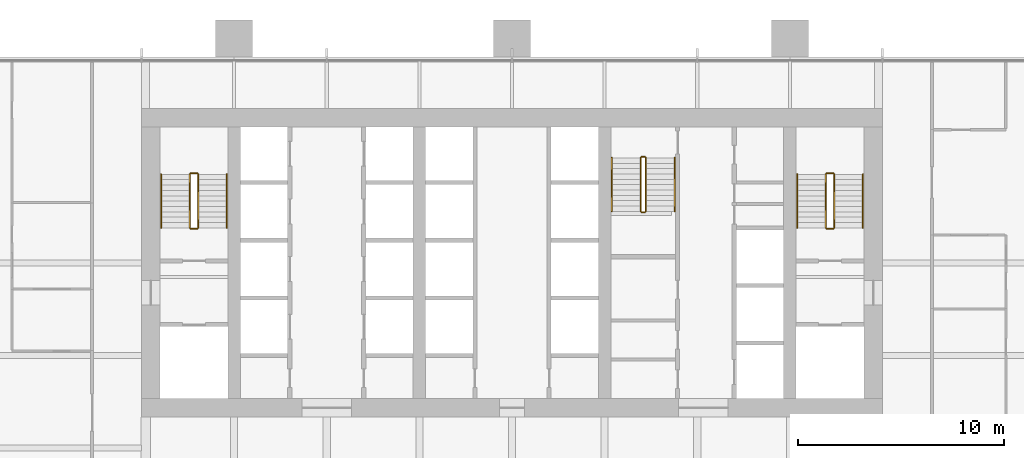
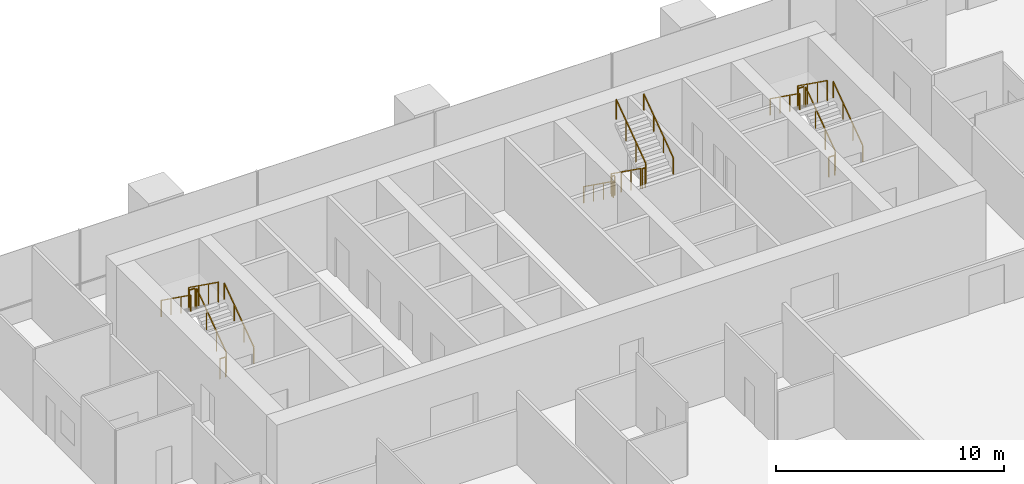
# One storey, part 17 of 17: 18 railings.
"""IFC4 building model written with IfcOpenShell, lengths in metres."""

from ifc_helpers import new_model, si_unit, direction, frame, origin, origin_2d, place, context, subcontext, project, spatial, rectangle, extrude, material, type_object, element, save


model = new_model("IFC4")

# Units and contexts
model_context = context("Model", 3, precision=1e-05, world=origin(), true_north=direction((0.0, 1.0)))
body_context = subcontext(model_context, "Body", "Model", "MODEL_VIEW")
ifc_project = project(units=[si_unit("LENGTHUNIT", "METRE"), si_unit("AREAUNIT", "SQUARE_METRE"), si_unit("VOLUMEUNIT", "CUBIC_METRE"), si_unit("PLANEANGLEUNIT", "RADIAN"), si_unit("MASSUNIT", "GRAM", prefix="KILO")], contexts=[model_context])

# Site, building, storey
site_placement = place(None, origin())
site = spatial("IfcSite", under=ifc_project, at=site_placement, CompositionType="ELEMENT")
building_placement = place(site_placement, origin())
building = spatial("IfcBuilding", under=site, at=building_placement, Name="Rattan Terrace Tower", CompositionType="ELEMENT")
storey_placement = place(building_placement, frame((0.0, 0.0, 48.800048828125)))
storey = spatial("IfcBuildingStorey", under=building, at=storey_placement, Name="L10", CompositionType="ELEMENT", Elevation=48.800048828125)

# Railings
ifc_material_1 = material(Name="Powder-coated steel guard", Category="steel")
railing_type_1 = type_object("IfcRailingType", Name="Core stair guard", PredefinedType="GUARDRAIL", material=ifc_material_1)
railing_1_placement = place(storey_placement, frame((-15.25, 1.699951171875, 0.186279296875)))
element("IfcRailing", 1, at=railing_1_placement, inside=storey, type_object=railing_type_1, Name="L10 S1 stair guard 1", PredefinedType="GUARDRAIL", context=body_context, shape_type="SweptSolid", body=[
    extrude(rectangle(XDim=0.048095703125, YDim=0.048095703125, at=origin_2d()), frame((0.0, 0.0, 1.076171875), z_axis=(0.0, 0.812762922914, 0.582594568406), x_axis=(-1.0, 0.0, 0.0)), (0.0, 0.0, 1.0), 3.198974609375),
    extrude(rectangle(XDim=0.0419921875, YDim=0.0419921875, at=origin_2d()), origin(), (0.0, 0.0, 1.0), 1.052001953125),
    extrude(rectangle(XDim=0.0419921875, YDim=0.0419921875, at=origin_2d()), frame((0.0, 0.86669921875, 0.621337890625)), (0.0, 0.0, 1.0), 1.052001953125),
    extrude(rectangle(XDim=0.0419921875, YDim=0.0419921875, at=origin_2d()), frame((0.0, 1.7333984375, 1.242431640625)), (0.0, 0.0, 1.0), 1.052001953125),
    extrude(rectangle(XDim=0.0419921875, YDim=0.0419921875, at=origin_2d()), frame((0.0, 2.60009765625, 1.86376953125)), (0.0, 0.0, 1.0), 1.052001953125),
])
railing_2_placement = place(storey_placement, frame((-15.300048828125, 4.35009765625, 2.050048828125)))
element("IfcRailing", 2, at=railing_2_placement, inside=storey, type_object=railing_type_1, Name="L10 S1 stair guard 2", PredefinedType="GUARDRAIL", context=body_context, shape_type="SweptSolid", body=[
    extrude(rectangle(XDim=0.048095703125, YDim=0.048095703125, at=origin_2d()), frame((0.0, 0.0, 1.076171875), z_axis=(-1.0, 0.0, 0.0), x_axis=(0.0, -1.0, 0.0)), (0.0, 0.0, 1.0), 0.300048828125),
    extrude(rectangle(XDim=0.0419921875, YDim=0.0419921875, at=origin_2d()), origin(), (0.0, 0.0, 1.0), 1.052001953125),
    extrude(rectangle(XDim=0.0419921875, YDim=0.0419921875, at=origin_2d()), frame((-0.300048828125, 0.0, 0.0)), (0.0, 0.0, 1.0), 1.052001953125),
])
railing_3_placement = place(storey_placement, frame((-15.64990234375, 4.300048828125, 2.236328125)))
element("IfcRailing", 3, at=railing_3_placement, inside=storey, type_object=railing_type_1, Name="L10 S1 stair guard 3", PredefinedType="GUARDRAIL", context=body_context, shape_type="SweptSolid", body=[
    extrude(rectangle(XDim=0.048095703125, YDim=0.048095703125, at=origin_2d()), frame((0.0, 0.0, 1.076171875), z_axis=(0.0, -0.812799059333, 0.582544152102), x_axis=(1.0, 0.0, 0.0)), (0.0, 0.0, 1.0), 3.198974609375),
    extrude(rectangle(XDim=0.0419921875, YDim=0.0419921875, at=origin_2d()), origin(), (0.0, 0.0, 1.0), 1.052001953125),
    extrude(rectangle(XDim=0.0419921875, YDim=0.0419921875, at=origin_2d()), frame((0.0, -0.86669921875, 0.62109375)), (0.0, 0.0, 1.0), 1.052001953125),
    extrude(rectangle(XDim=0.0419921875, YDim=0.0419921875, at=origin_2d()), frame((0.0, -1.7333984375, 1.242431640625)), (0.0, 0.0, 1.0), 1.052001953125),
    extrude(rectangle(XDim=0.0419921875, YDim=0.0419921875, at=origin_2d()), frame((0.0, -2.60009765625, 1.863525390625)), (0.0, 0.0, 1.0), 1.052001953125),
])
railing_4_placement = place(storey_placement, frame((-15.300048828125, 1.64990234375, 0.0)))
element("IfcRailing", 4, at=railing_4_placement, inside=storey, type_object=railing_type_1, Name="L10 S1 stair guard 4", PredefinedType="GUARDRAIL", context=body_context, shape_type="SweptSolid", body=[
    extrude(rectangle(XDim=0.048095703125, YDim=0.048095703125, at=origin_2d()), frame((0.0, 0.0, 1.076171875), z_axis=(-1.0, 0.0, 0.0), x_axis=(0.0, -1.0, 0.0)), (0.0, 0.0, 1.0), 0.300048828125),
    extrude(rectangle(XDim=0.0419921875, YDim=0.0419921875, at=origin_2d()), origin(), (0.0, 0.0, 1.0), 1.052001953125),
    extrude(rectangle(XDim=0.0419921875, YDim=0.0419921875, at=origin_2d()), frame((-0.300048828125, 0.0, 0.0)), (0.0, 0.0, 1.0), 1.052001953125),
])
railing_5_placement = place(storey_placement, frame((15.64990234375, 1.699951171875, 0.186279296875)))
element("IfcRailing", 5, at=railing_5_placement, inside=storey, type_object=railing_type_1, Name="L10 S2 stair guard 1", PredefinedType="GUARDRAIL", context=body_context, shape_type="SweptSolid", body=[
    extrude(rectangle(XDim=0.048095703125, YDim=0.048095703125, at=origin_2d()), frame((0.0, 0.0, 1.076171875), z_axis=(0.0, 0.812762922914, 0.582594568406), x_axis=(-1.0, 0.0, 0.0)), (0.0, 0.0, 1.0), 3.198974609375),
    extrude(rectangle(XDim=0.0419921875, YDim=0.0419921875, at=origin_2d()), origin(), (0.0, 0.0, 1.0), 1.052001953125),
    extrude(rectangle(XDim=0.0419921875, YDim=0.0419921875, at=origin_2d()), frame((0.0, 0.86669921875, 0.621337890625)), (0.0, 0.0, 1.0), 1.052001953125),
    extrude(rectangle(XDim=0.0419921875, YDim=0.0419921875, at=origin_2d()), frame((0.0, 1.7333984375, 1.242431640625)), (0.0, 0.0, 1.0), 1.052001953125),
    extrude(rectangle(XDim=0.0419921875, YDim=0.0419921875, at=origin_2d()), frame((0.0, 2.60009765625, 1.86376953125)), (0.0, 0.0, 1.0), 1.052001953125),
])
railing_6_placement = place(storey_placement, frame((15.60009765625, 4.35009765625, 2.050048828125)))
element("IfcRailing", 6, at=railing_6_placement, inside=storey, type_object=railing_type_1, Name="L10 S2 stair guard 2", PredefinedType="GUARDRAIL", context=body_context, shape_type="SweptSolid", body=[
    extrude(rectangle(XDim=0.048095703125, YDim=0.048095703125, at=origin_2d()), frame((0.0, 0.0, 1.076171875), z_axis=(-1.0, 0.0, 0.0), x_axis=(0.0, -1.0, 0.0)), (0.0, 0.0, 1.0), 0.300048828125),
    extrude(rectangle(XDim=0.0419921875, YDim=0.0419921875, at=origin_2d()), origin(), (0.0, 0.0, 1.0), 1.052001953125),
    extrude(rectangle(XDim=0.0419921875, YDim=0.0419921875, at=origin_2d()), frame((-0.300048828125, 0.0, 0.0)), (0.0, 0.0, 1.0), 1.052001953125),
])
railing_7_placement = place(storey_placement, frame((15.25, 4.300048828125, 2.236328125)))
element("IfcRailing", 7, at=railing_7_placement, inside=storey, type_object=railing_type_1, Name="L10 S2 stair guard 3", PredefinedType="GUARDRAIL", context=body_context, shape_type="SweptSolid", body=[
    extrude(rectangle(XDim=0.048095703125, YDim=0.048095703125, at=origin_2d()), frame((0.0, 0.0, 1.076171875), z_axis=(0.0, -0.812799059333, 0.582544152102), x_axis=(1.0, 0.0, 0.0)), (0.0, 0.0, 1.0), 3.198974609375),
    extrude(rectangle(XDim=0.0419921875, YDim=0.0419921875, at=origin_2d()), origin(), (0.0, 0.0, 1.0), 1.052001953125),
    extrude(rectangle(XDim=0.0419921875, YDim=0.0419921875, at=origin_2d()), frame((0.0, -0.86669921875, 0.62109375)), (0.0, 0.0, 1.0), 1.052001953125),
    extrude(rectangle(XDim=0.0419921875, YDim=0.0419921875, at=origin_2d()), frame((0.0, -1.7333984375, 1.242431640625)), (0.0, 0.0, 1.0), 1.052001953125),
    extrude(rectangle(XDim=0.0419921875, YDim=0.0419921875, at=origin_2d()), frame((0.0, -2.60009765625, 1.863525390625)), (0.0, 0.0, 1.0), 1.052001953125),
])
railing_8_placement = place(storey_placement, frame((15.60009765625, 1.64990234375, 0.0)))
element("IfcRailing", 8, at=railing_8_placement, inside=storey, type_object=railing_type_1, Name="L10 S2 stair guard 4", PredefinedType="GUARDRAIL", context=body_context, shape_type="SweptSolid", body=[
    extrude(rectangle(XDim=0.048095703125, YDim=0.048095703125, at=origin_2d()), frame((0.0, 0.0, 1.076171875), z_axis=(-1.0, 0.0, 0.0), x_axis=(0.0, -1.0, 0.0)), (0.0, 0.0, 1.0), 0.300048828125),
    extrude(rectangle(XDim=0.0419921875, YDim=0.0419921875, at=origin_2d()), origin(), (0.0, 0.0, 1.0), 1.052001953125),
    extrude(rectangle(XDim=0.0419921875, YDim=0.0419921875, at=origin_2d()), frame((-0.300048828125, 0.0, 0.0)), (0.0, 0.0, 1.0), 1.052001953125),
])
railing_9_placement = place(storey_placement, frame((6.25, 5.10009765625, 0.186279296875)))
element("IfcRailing", 9, at=railing_9_placement, inside=storey, type_object=railing_type_1, Name="L10 S3 stair guard 1", PredefinedType="GUARDRAIL", context=body_context, shape_type="SweptSolid", body=[
    extrude(rectangle(XDim=0.048095703125, YDim=0.048095703125, at=origin_2d()), frame((0.0, 0.0, 1.076171875), z_axis=(0.0, -0.812762922914, 0.582594568406), x_axis=(1.0, 0.0, 0.0)), (0.0, 0.0, 1.0), 3.198974609375),
    extrude(rectangle(XDim=0.0419921875, YDim=0.0419921875, at=origin_2d()), origin(), (0.0, 0.0, 1.0), 1.052001953125),
    extrude(rectangle(XDim=0.0419921875, YDim=0.0419921875, at=origin_2d()), frame((0.0, -0.86669921875, 0.621337890625)), (0.0, 0.0, 1.0), 1.052001953125),
    extrude(rectangle(XDim=0.0419921875, YDim=0.0419921875, at=origin_2d()), frame((0.0, -1.7333984375, 1.242431640625)), (0.0, 0.0, 1.0), 1.052001953125),
    extrude(rectangle(XDim=0.0419921875, YDim=0.0419921875, at=origin_2d()), frame((0.0, -2.60009765625, 1.86376953125)), (0.0, 0.0, 1.0), 1.052001953125),
])
railing_10_placement = place(storey_placement, frame((6.300048828125, 2.449951171875, 2.050048828125)))
element("IfcRailing", 10, at=railing_10_placement, inside=storey, type_object=railing_type_1, Name="L10 S3 stair guard 2", PredefinedType="GUARDRAIL", context=body_context, shape_type="SweptSolid", body=[
    extrude(rectangle(XDim=0.048095703125, YDim=0.048095703125, at=origin_2d()), frame((0.0, 0.0, 1.076171875), z_axis=(1.0, 0.0, 0.0), x_axis=(0.0, 1.0, 0.0)), (0.0, 0.0, 1.0), 0.14990234375),
    extrude(rectangle(XDim=0.0419921875, YDim=0.0419921875, at=origin_2d()), origin(), (0.0, 0.0, 1.0), 1.052001953125),
    extrude(rectangle(XDim=0.0419921875, YDim=0.0419921875, at=origin_2d()), frame((0.14990234375, 0.0, 0.0)), (0.0, 0.0, 1.0), 1.052001953125),
])
railing_11_placement = place(storey_placement, frame((6.5, 2.5, 2.236328125)))
element("IfcRailing", 11, at=railing_11_placement, inside=storey, type_object=railing_type_1, Name="L10 S3 stair guard 3", PredefinedType="GUARDRAIL", context=body_context, shape_type="SweptSolid", body=[
    extrude(rectangle(XDim=0.048095703125, YDim=0.048095703125, at=origin_2d()), frame((0.0, 0.0, 1.076171875), z_axis=(0.0, 0.812799059333, 0.582544152102), x_axis=(-1.0, 0.0, 0.0)), (0.0, 0.0, 1.0), 3.198974609375),
    extrude(rectangle(XDim=0.0419921875, YDim=0.0419921875, at=origin_2d()), origin(), (0.0, 0.0, 1.0), 1.052001953125),
    extrude(rectangle(XDim=0.0419921875, YDim=0.0419921875, at=origin_2d()), frame((0.0, 0.86669921875, 0.62109375)), (0.0, 0.0, 1.0), 1.052001953125),
    extrude(rectangle(XDim=0.0419921875, YDim=0.0419921875, at=origin_2d()), frame((0.0, 1.7333984375, 1.242431640625)), (0.0, 0.0, 1.0), 1.052001953125),
    extrude(rectangle(XDim=0.0419921875, YDim=0.0419921875, at=origin_2d()), frame((0.0, 2.60009765625, 1.863525390625)), (0.0, 0.0, 1.0), 1.052001953125),
])
railing_12_placement = place(storey_placement, frame((6.300048828125, 5.14990234375, 0.0)))
element("IfcRailing", 12, at=railing_12_placement, inside=storey, type_object=railing_type_1, Name="L10 S3 stair guard 4", PredefinedType="GUARDRAIL", context=body_context, shape_type="SweptSolid", body=[
    extrude(rectangle(XDim=0.048095703125, YDim=0.048095703125, at=origin_2d()), frame((0.0, 0.0, 1.076171875), z_axis=(1.0, 0.0, 0.0), x_axis=(0.0, 1.0, 0.0)), (0.0, 0.0, 1.0), 0.14990234375),
    extrude(rectangle(XDim=0.0419921875, YDim=0.0419921875, at=origin_2d()), origin(), (0.0, 0.0, 1.0), 1.052001953125),
    extrude(rectangle(XDim=0.0419921875, YDim=0.0419921875, at=origin_2d()), frame((0.14990234375, 0.0, 0.0)), (0.0, 0.0, 1.0), 1.052001953125),
])
ifc_material_2 = material(Name="Powder-coated steel handrail", Category="steel")
railing_type_2 = type_object("IfcRailingType", Name="Core stair handrail", PredefinedType="HANDRAIL", material=ifc_material_2)
railing_13_placement = place(storey_placement, frame((-13.85009765625, 1.699951171875, 0.186279296875)))
element("IfcRailing", 13, at=railing_13_placement, inside=storey, type_object=railing_type_2, Name="L10 S1 stair handrail 1", PredefinedType="HANDRAIL", context=body_context, shape_type="SweptSolid", body=[
    extrude(rectangle(XDim=0.048095703125, YDim=0.048095703125, at=origin_2d()), frame((0.0, 0.0, 0.8759765625), z_axis=(0.0, 0.812762922914, 0.582594568406), x_axis=(-1.0, 0.0, 0.0)), (0.0, 0.0, 1.0), 3.198974609375),
    extrude(rectangle(XDim=0.0419921875, YDim=0.0419921875, at=origin_2d()), origin(), (0.0, 0.0, 1.0), 0.851806640625),
    extrude(rectangle(XDim=0.0419921875, YDim=0.0419921875, at=origin_2d()), frame((0.0, 0.86669921875, 0.621337890625)), (0.0, 0.0, 1.0), 0.851806640625),
    extrude(rectangle(XDim=0.0419921875, YDim=0.0419921875, at=origin_2d()), frame((0.0, 1.7333984375, 1.242431640625)), (0.0, 0.0, 1.0), 0.851806640625),
    extrude(rectangle(XDim=0.0419921875, YDim=0.0419921875, at=origin_2d()), frame((0.0, 2.60009765625, 1.86376953125)), (0.0, 0.0, 1.0), 0.851806640625),
])
railing_14_placement = place(storey_placement, frame((-17.050048828125, 4.300048828125, 2.236328125)))
element("IfcRailing", 14, at=railing_14_placement, inside=storey, type_object=railing_type_2, Name="L10 S1 stair handrail 2", PredefinedType="HANDRAIL", context=body_context, shape_type="SweptSolid", body=[
    extrude(rectangle(XDim=0.048095703125, YDim=0.048095703125, at=origin_2d()), frame((0.0, 0.0, 0.8759765625), z_axis=(0.0, -0.812799059333, 0.582544152102), x_axis=(1.0, 0.0, 0.0)), (0.0, 0.0, 1.0), 3.198974609375),
    extrude(rectangle(XDim=0.0419921875, YDim=0.0419921875, at=origin_2d()), origin(), (0.0, 0.0, 1.0), 0.851806640625),
    extrude(rectangle(XDim=0.0419921875, YDim=0.0419921875, at=origin_2d()), frame((0.0, -0.86669921875, 0.62109375)), (0.0, 0.0, 1.0), 0.851806640625),
    extrude(rectangle(XDim=0.0419921875, YDim=0.0419921875, at=origin_2d()), frame((0.0, -1.7333984375, 1.242431640625)), (0.0, 0.0, 1.0), 0.851806640625),
    extrude(rectangle(XDim=0.0419921875, YDim=0.0419921875, at=origin_2d()), frame((0.0, -2.60009765625, 1.863525390625)), (0.0, 0.0, 1.0), 0.851806640625),
])
railing_15_placement = place(storey_placement, frame((17.050048828125, 1.699951171875, 0.186279296875)))
element("IfcRailing", 15, at=railing_15_placement, inside=storey, type_object=railing_type_2, Name="L10 S2 stair handrail 1", PredefinedType="HANDRAIL", context=body_context, shape_type="SweptSolid", body=[
    extrude(rectangle(XDim=0.048095703125, YDim=0.048095703125, at=origin_2d()), frame((0.0, 0.0, 0.8759765625), z_axis=(0.0, 0.812762922914, 0.582594568406), x_axis=(-1.0, 0.0, 0.0)), (0.0, 0.0, 1.0), 3.198974609375),
    extrude(rectangle(XDim=0.0419921875, YDim=0.0419921875, at=origin_2d()), origin(), (0.0, 0.0, 1.0), 0.851806640625),
    extrude(rectangle(XDim=0.0419921875, YDim=0.0419921875, at=origin_2d()), frame((0.0, 0.86669921875, 0.621337890625)), (0.0, 0.0, 1.0), 0.851806640625),
    extrude(rectangle(XDim=0.0419921875, YDim=0.0419921875, at=origin_2d()), frame((0.0, 1.7333984375, 1.242431640625)), (0.0, 0.0, 1.0), 0.851806640625),
    extrude(rectangle(XDim=0.0419921875, YDim=0.0419921875, at=origin_2d()), frame((0.0, 2.60009765625, 1.86376953125)), (0.0, 0.0, 1.0), 0.851806640625),
])
railing_16_placement = place(storey_placement, frame((13.85009765625, 4.300048828125, 2.236328125)))
element("IfcRailing", 16, at=railing_16_placement, inside=storey, type_object=railing_type_2, Name="L10 S2 stair handrail 2", PredefinedType="HANDRAIL", context=body_context, shape_type="SweptSolid", body=[
    extrude(rectangle(XDim=0.048095703125, YDim=0.048095703125, at=origin_2d()), frame((0.0, 0.0, 0.8759765625), z_axis=(0.0, -0.812799059333, 0.582544152102), x_axis=(1.0, 0.0, 0.0)), (0.0, 0.0, 1.0), 3.198974609375),
    extrude(rectangle(XDim=0.0419921875, YDim=0.0419921875, at=origin_2d()), origin(), (0.0, 0.0, 1.0), 0.851806640625),
    extrude(rectangle(XDim=0.0419921875, YDim=0.0419921875, at=origin_2d()), frame((0.0, -0.86669921875, 0.62109375)), (0.0, 0.0, 1.0), 0.851806640625),
    extrude(rectangle(XDim=0.0419921875, YDim=0.0419921875, at=origin_2d()), frame((0.0, -1.7333984375, 1.242431640625)), (0.0, 0.0, 1.0), 0.851806640625),
    extrude(rectangle(XDim=0.0419921875, YDim=0.0419921875, at=origin_2d()), frame((0.0, -2.60009765625, 1.863525390625)), (0.0, 0.0, 1.0), 0.851806640625),
])
railing_17_placement = place(storey_placement, frame((4.85009765625, 5.10009765625, 0.186279296875)))
element("IfcRailing", 17, at=railing_17_placement, inside=storey, type_object=railing_type_2, Name="L10 S3 stair handrail 1", PredefinedType="HANDRAIL", context=body_context, shape_type="SweptSolid", body=[
    extrude(rectangle(XDim=0.048095703125, YDim=0.048095703125, at=origin_2d()), frame((0.0, 0.0, 0.8759765625), z_axis=(0.0, -0.812762922914, 0.582594568406), x_axis=(1.0, 0.0, 0.0)), (0.0, 0.0, 1.0), 3.198974609375),
    extrude(rectangle(XDim=0.0419921875, YDim=0.0419921875, at=origin_2d()), origin(), (0.0, 0.0, 1.0), 0.851806640625),
    extrude(rectangle(XDim=0.0419921875, YDim=0.0419921875, at=origin_2d()), frame((0.0, -0.86669921875, 0.621337890625)), (0.0, 0.0, 1.0), 0.851806640625),
    extrude(rectangle(XDim=0.0419921875, YDim=0.0419921875, at=origin_2d()), frame((0.0, -1.7333984375, 1.242431640625)), (0.0, 0.0, 1.0), 0.851806640625),
    extrude(rectangle(XDim=0.0419921875, YDim=0.0419921875, at=origin_2d()), frame((0.0, -2.60009765625, 1.86376953125)), (0.0, 0.0, 1.0), 0.851806640625),
])
railing_18_placement = place(storey_placement, frame((7.89990234375, 2.5, 2.236328125)))
element("IfcRailing", 18, at=railing_18_placement, inside=storey, type_object=railing_type_2, Name="L10 S3 stair handrail 2", PredefinedType="HANDRAIL", context=body_context, shape_type="SweptSolid", body=[
    extrude(rectangle(XDim=0.048095703125, YDim=0.048095703125, at=origin_2d()), frame((0.0, 0.0, 0.8759765625), z_axis=(0.0, 0.812799059333, 0.582544152102), x_axis=(-1.0, 0.0, 0.0)), (0.0, 0.0, 1.0), 3.198974609375),
    extrude(rectangle(XDim=0.0419921875, YDim=0.0419921875, at=origin_2d()), origin(), (0.0, 0.0, 1.0), 0.851806640625),
    extrude(rectangle(XDim=0.0419921875, YDim=0.0419921875, at=origin_2d()), frame((0.0, 0.86669921875, 0.62109375)), (0.0, 0.0, 1.0), 0.851806640625),
    extrude(rectangle(XDim=0.0419921875, YDim=0.0419921875, at=origin_2d()), frame((0.0, 1.7333984375, 1.242431640625)), (0.0, 0.0, 1.0), 0.851806640625),
    extrude(rectangle(XDim=0.0419921875, YDim=0.0419921875, at=origin_2d()), frame((0.0, 2.60009765625, 1.863525390625)), (0.0, 0.0, 1.0), 0.851806640625),
])

save(model, "model.ifc")
